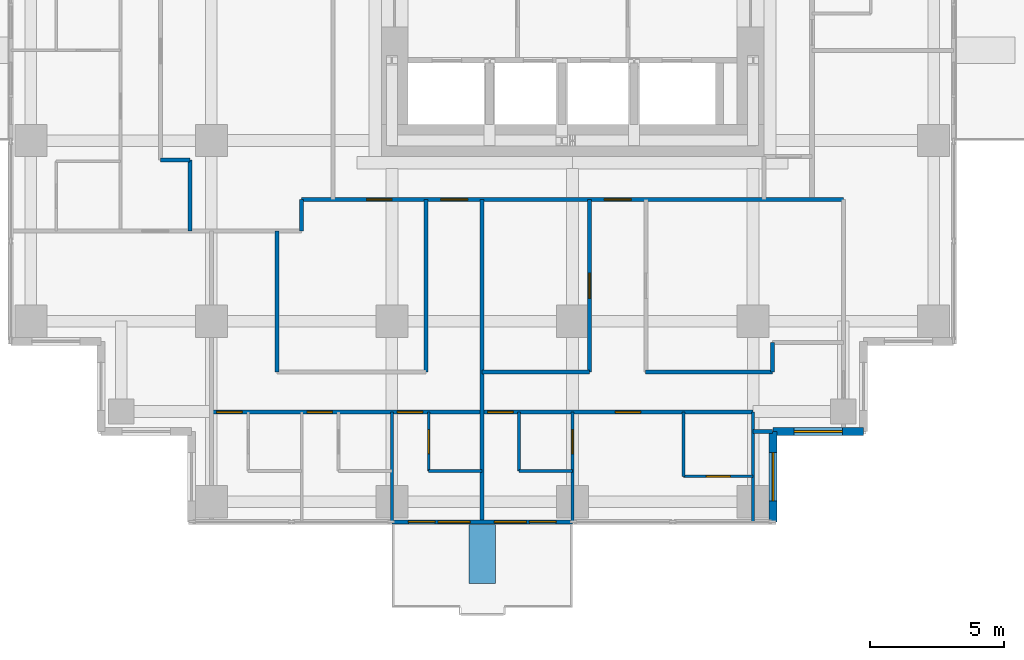
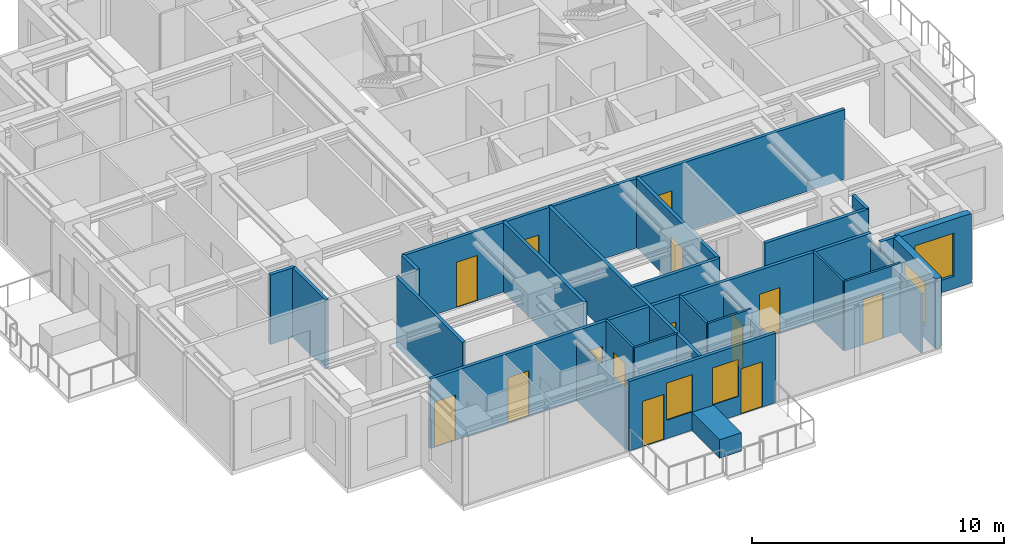
# One storey, part 5 of 10: 26 walls, 14 doors, 4 windows, 18 openings.
"""IFC4 building model written with IfcOpenShell, lengths in metres."""

from ifc_helpers import new_model, si_unit, direction, frame, frame_2d, origin, place, context, subcontext, project, spatial, rectangle, extrude, material, layer, layer_set, type_object, element, fill, save


model = new_model("IFC4")

# Units and contexts
model_context = context("Model", 3, precision=1e-05, world=origin(), true_north=direction((0.0, 1.0)))
body_context = subcontext(model_context, "Body", "Model", "MODEL_VIEW")
ifc_project = project(units=[si_unit("LENGTHUNIT", "METRE"), si_unit("AREAUNIT", "SQUARE_METRE"), si_unit("VOLUMEUNIT", "CUBIC_METRE"), si_unit("PLANEANGLEUNIT", "RADIAN"), si_unit("MASSUNIT", "GRAM", prefix="KILO")], contexts=[model_context])

# Site, building, storey
site_placement = place(None, origin())
site = spatial("IfcSite", under=ifc_project, at=site_placement, CompositionType="ELEMENT")
building_placement = place(site_placement, origin())
building = spatial("IfcBuilding", under=site, at=building_placement, Name="Nyansa Garden Tower", CompositionType="ELEMENT")
storey_placement = place(building_placement, frame((0.0, 0.0, 178.199951171875)))
storey = spatial("IfcBuildingStorey", under=building, at=storey_placement, Name="L48", CompositionType="ELEMENT", Elevation=178.199951171875)

# Wall, openings, doors, windows
ifc_material_1 = material(Name="Black aluminium framed glazed screen", Category="aluminium")
ifc_layer_1 = layer(ifc_material_1, 0.14990234375)
ifc_layer_set_1 = layer_set([ifc_layer_1], Name="Balcony screen wall BW150")
wall_type_1 = type_object("IfcWallType", Name="Balcony screen wall BW150", PredefinedType="SOLIDWALL", material=ifc_layer_set_1)
wall_1_placement = place(storey_placement, frame((20.25, -0.75, 0.0), z_axis=(0.0, 0.0, 1.0), x_axis=(-1.0, 0.0, 0.0)))
wall_1 = element("IfcWall", 1, at=wall_1_placement, inside=storey, type_object=wall_type_1, Name="Glazed screen wall L48 S", PredefinedType="SOLIDWALL", context=body_context, shape_type="SweptSolid", body=[
    extrude(rectangle(XDim=6.75, YDim=0.14990234375, at=frame_2d((3.375, 0.0))), origin(), (0.0, 0.0, 1.0), 3.375),
])
opening_1_placement = place(wall_1_placement, frame((0.612548828125, 0.0, 0.0)))
opening_1 = element("IfcOpeningElement", 2, at=opening_1_placement, cuts=wall_1, Name="Opening D20", PredefinedType="OPENING", context=body_context, shape_type="SweptSolid", body=[
    extrude(rectangle(XDim=1.0, YDim=2.199951171875, at=frame_2d((0.5, 1.10009765625))), frame((0.0, 0.0849609375, 0.0), z_axis=(0.0, -1.0, 0.0), x_axis=(1.0, 0.0, 0.0)), (0.0, 0.0, 1.0), 0.169921875),
])
opening_2_placement = place(wall_1_placement, frame((1.72509765625, 0.0, 0.89990234375)))
opening_2 = element("IfcOpeningElement", 3, at=opening_2_placement, cuts=wall_1, Name="Opening W6", PredefinedType="OPENING", context=body_context, shape_type="SweptSolid", body=[
    extrude(rectangle(XDim=1.199951171875, YDim=1.800048828125, at=frame_2d((0.60009765625, 0.89990234375))), frame((0.0, 0.0849609375, 0.0), z_axis=(0.0, -1.0, 0.0), x_axis=(1.0, 0.0, 0.0)), (0.0, 0.0, 1.0), 0.169921875),
])
opening_3_placement = place(wall_1_placement, frame((5.137451171875, 0.0, 0.0)))
opening_3 = element("IfcOpeningElement", 4, at=opening_3_placement, cuts=wall_1, Name="Opening D20", PredefinedType="OPENING", context=body_context, shape_type="SweptSolid", body=[
    extrude(rectangle(XDim=1.0, YDim=2.199951171875, at=frame_2d((0.5, 1.10009765625))), frame((0.0, 0.0849609375, 0.0), z_axis=(0.0, -1.0, 0.0), x_axis=(1.0, 0.0, 0.0)), (0.0, 0.0, 1.0), 0.169921875),
])
opening_4_placement = place(wall_1_placement, frame((3.824951171875, 0.0, 0.89990234375)))
opening_4 = element("IfcOpeningElement", 5, at=opening_4_placement, cuts=wall_1, Name="Opening W6", PredefinedType="OPENING", context=body_context, shape_type="SweptSolid", body=[
    extrude(rectangle(XDim=1.199951171875, YDim=1.800048828125, at=frame_2d((0.60009765625, 0.89990234375))), frame((0.0, 0.0849609375, 0.0), z_axis=(0.0, -1.0, 0.0), x_axis=(1.0, 0.0, 0.0)), (0.0, 0.0, 1.0), 0.169921875),
])
ifc_material_2 = material(Name="Black aluminium framed glazed door", Category="aluminium")
door_type_1 = type_object("IfcDoorType", Name="Balcony door D20 1000x2200", OperationType="NOTDEFINED", PredefinedType="DOOR", material=ifc_material_2)
door_1_placement = place(opening_1_placement, origin())
door_1 = element("IfcDoor", 6, at=door_1_placement, inside=storey, type_object=door_type_1, Name="Balcony door L48", OperationType="SINGLE_SWING_LEFT", OverallHeight=2.199951171875, OverallWidth=1.0, PredefinedType="DOOR", context=body_context, shape_type="SweptSolid", body=[
    extrude(rectangle(XDim=1.0, YDim=2.199951171875, at=frame_2d((0.5, 1.10009765625))), frame((0.0, 0.02490234375, 0.0), z_axis=(0.0, -1.0, 0.0), x_axis=(1.0, 0.0, 0.0)), (0.0, 0.0, 1.0), 0.050048828125),
])
fill(opening_1, door_1)
door_2_placement = place(opening_3_placement, origin())
door_2 = element("IfcDoor", 7, at=door_2_placement, inside=storey, type_object=door_type_1, Name="Balcony door L48", OperationType="SINGLE_SWING_RIGHT", OverallHeight=2.199951171875, OverallWidth=1.0, PredefinedType="DOOR", context=body_context, shape_type="SweptSolid", body=[
    extrude(rectangle(XDim=1.0, YDim=2.199951171875, at=frame_2d((0.5, 1.10009765625))), frame((0.0, 0.02490234375, 0.0), z_axis=(0.0, -1.0, 0.0), x_axis=(1.0, 0.0, 0.0)), (0.0, 0.0, 1.0), 0.050048828125),
])
fill(opening_3, door_2)
ifc_material_3 = material(Name="Black aluminium frame, dark tinted double glazing", Category="aluminium")
window_type_1 = type_object("IfcWindowType", Name="Balcony window W6 1200x1800", PartitioningType="SINGLE_PANEL", PredefinedType="WINDOW", material=ifc_material_3)
window_1_placement = place(opening_2_placement, origin())
window_1 = element("IfcWindow", 8, at=window_1_placement, inside=storey, type_object=window_type_1, Name="Window L48", OverallHeight=1.800048828125, OverallWidth=1.199951171875, PartitioningType="SINGLE_PANEL", PredefinedType="WINDOW", context=body_context, shape_type="SweptSolid", body=[
    extrude(rectangle(XDim=1.199951171875, YDim=1.800048828125, at=frame_2d((0.60009765625, 0.89990234375))), frame((0.0, 0.030029296875, 0.0), z_axis=(0.0, -1.0, 0.0), x_axis=(1.0, 0.0, 0.0)), (0.0, 0.0, 1.0), 0.06005859375),
])
fill(opening_2, window_1)
window_2_placement = place(opening_4_placement, origin())
window_2 = element("IfcWindow", 9, at=window_2_placement, inside=storey, type_object=window_type_1, Name="Window L48", OverallHeight=1.800048828125, OverallWidth=1.199951171875, PartitioningType="SINGLE_PANEL", PredefinedType="WINDOW", context=body_context, shape_type="SweptSolid", body=[
    extrude(rectangle(XDim=1.199951171875, YDim=1.800048828125, at=frame_2d((0.60009765625, 0.89990234375))), frame((0.0, 0.030029296875, 0.0), z_axis=(0.0, -1.0, 0.0), x_axis=(1.0, 0.0, 0.0)), (0.0, 0.0, 1.0), 0.06005859375),
])
fill(opening_4, window_2)

# Walls
ifc_material_4 = material(Name="Blockwork, plastered both sides", Category="masonry")
ifc_layer_2 = layer(ifc_material_4, 0.14990234375)
ifc_layer_set_2 = layer_set([ifc_layer_2], Name="Partition PW150")
wall_type_2 = type_object("IfcWallType", Name="Partition PW150", PredefinedType="PARTITIONING", material=ifc_layer_set_2)
wall_2_placement = place(storey_placement, frame((4.85009765625, 12.77490234375, 0.0), z_axis=(0.0, 0.0, 1.0), x_axis=(1.0, 0.0, 0.0)))
element("IfcWall", 10, at=wall_2_placement, inside=storey, type_object=wall_type_2, Name="Partition", PredefinedType="PARTITIONING", context=body_context, shape_type="SweptSolid", body=[
    extrude(rectangle(XDim=1.099853515625, YDim=0.14990234375, at=frame_2d((0.5498046875, 0.0))), origin(), (0.0, 0.0, 1.0), 3.375),
])
wall_3_placement = place(storey_placement, frame((5.949951171875, 10.125, 0.0), z_axis=(0.0, 0.0, 1.0), x_axis=(0.0, 1.0, 0.0)))
element("IfcWall", 11, at=wall_3_placement, inside=storey, type_object=wall_type_2, Name="Partition", PredefinedType="PARTITIONING", context=body_context, shape_type="SweptSolid", body=[
    extrude(rectangle(XDim=2.64990234375, YDim=0.14990234375, at=frame_2d((1.324951171875, 0.0))), origin(), (0.0, 0.0, 1.0), 3.375),
])

# Wall, openings, doors
wall_4_placement = place(storey_placement, frame((6.75, 3.35009765625, 0.0), z_axis=(0.0, 0.0, 1.0), x_axis=(1.0, 0.0, 0.0)))
wall_4 = element("IfcWall", 12, at=wall_4_placement, inside=storey, type_object=wall_type_2, Name="Partition", PredefinedType="PARTITIONING", context=body_context, shape_type="SweptSolid", body=[
    extrude(rectangle(XDim=20.25, YDim=0.14990234375, at=frame_2d((10.125, 0.0))), origin(), (0.0, 0.0, 1.0), 3.375),
])
opening_5_placement = place(wall_4_placement, frame((0.199951171875, 0.0, 0.0)))
opening_5 = element("IfcOpeningElement", 13, at=opening_5_placement, cuts=wall_4, Name="Opening D01", PredefinedType="OPENING", context=body_context, shape_type="SweptSolid", body=[
    extrude(rectangle(XDim=0.949951171875, YDim=2.199951171875, at=frame_2d((0.47509765625, 1.10009765625))), frame((0.0, 0.0849609375, 0.0), z_axis=(0.0, -1.0, 0.0), x_axis=(1.0, 0.0, 0.0)), (0.0, 0.0, 1.0), 0.169921875),
])
opening_6_placement = place(wall_4_placement, frame((3.574951171875, 0.0, 0.0)))
opening_6 = element("IfcOpeningElement", 14, at=opening_6_placement, cuts=wall_4, Name="Opening D01", PredefinedType="OPENING", context=body_context, shape_type="SweptSolid", body=[
    extrude(rectangle(XDim=0.949951171875, YDim=2.199951171875, at=frame_2d((0.47509765625, 1.10009765625))), frame((0.0, 0.0849609375, 0.0), z_axis=(0.0, -1.0, 0.0), x_axis=(1.0, 0.0, 0.0)), (0.0, 0.0, 1.0), 0.169921875),
])
opening_7_placement = place(wall_4_placement, frame((6.949951171875, 0.0, 0.0)))
opening_7 = element("IfcOpeningElement", 15, at=opening_7_placement, cuts=wall_4, Name="Opening D01", PredefinedType="OPENING", context=body_context, shape_type="SweptSolid", body=[
    extrude(rectangle(XDim=0.949951171875, YDim=2.199951171875, at=frame_2d((0.47509765625, 1.10009765625))), frame((0.0, 0.0849609375, 0.0), z_axis=(0.0, -1.0, 0.0), x_axis=(1.0, 0.0, 0.0)), (0.0, 0.0, 1.0), 0.169921875),
])
opening_8_placement = place(wall_4_placement, frame((15.10009765625, 0.0, 0.0)))
opening_8 = element("IfcOpeningElement", 16, at=opening_8_placement, cuts=wall_4, Name="Opening D14", PredefinedType="OPENING", context=body_context, shape_type="SweptSolid", body=[
    extrude(rectangle(XDim=0.949951171875, YDim=2.199951171875, at=frame_2d((0.47509765625, 1.10009765625))), frame((0.0, 0.0849609375, 0.0), z_axis=(0.0, -1.0, 0.0), x_axis=(1.0, 0.0, 0.0)), (0.0, 0.0, 1.0), 0.169921875),
])
opening_9_placement = place(wall_4_placement, frame((10.324951171875, 0.0, 0.0)))
opening_9 = element("IfcOpeningElement", 17, at=opening_9_placement, cuts=wall_4, Name="Opening D14", PredefinedType="OPENING", context=body_context, shape_type="SweptSolid", body=[
    extrude(rectangle(XDim=0.949951171875, YDim=2.199951171875, at=frame_2d((0.47509765625, 1.10009765625))), frame((0.0, 0.0849609375, 0.0), z_axis=(0.0, -1.0, 0.0), x_axis=(1.0, 0.0, 0.0)), (0.0, 0.0, 1.0), 0.169921875),
])
ifc_material_5 = material(Name="Timber flush door, 30 minute fire resisting", Category="wood")
door_type_2 = type_object("IfcDoorType", Name="Bedroom door D01 950x2200", OperationType="SINGLE_SWING_LEFT", PredefinedType="DOOR", material=ifc_material_5)
door_3_placement = place(opening_5_placement, origin())
door_3 = element("IfcDoor", 18, at=door_3_placement, inside=storey, type_object=door_type_2, Name="Door L48-018", OperationType="SINGLE_SWING_LEFT", OverallHeight=2.199951171875, OverallWidth=0.949951171875, PredefinedType="DOOR", context=body_context, shape_type="SweptSolid", body=[
    extrude(rectangle(XDim=0.949951171875, YDim=2.199951171875, at=frame_2d((0.47509765625, 1.10009765625))), frame((0.0, 0.02490234375, 0.0), z_axis=(0.0, -1.0, 0.0), x_axis=(1.0, 0.0, 0.0)), (0.0, 0.0, 1.0), 0.050048828125),
])
fill(opening_5, door_3)
door_4_placement = place(opening_6_placement, origin())
door_4 = element("IfcDoor", 19, at=door_4_placement, inside=storey, type_object=door_type_2, Name="Door L48-020", OperationType="SINGLE_SWING_LEFT", OverallHeight=2.199951171875, OverallWidth=0.949951171875, PredefinedType="DOOR", context=body_context, shape_type="SweptSolid", body=[
    extrude(rectangle(XDim=0.949951171875, YDim=2.199951171875, at=frame_2d((0.47509765625, 1.10009765625))), frame((0.0, 0.02490234375, 0.0), z_axis=(0.0, -1.0, 0.0), x_axis=(1.0, 0.0, 0.0)), (0.0, 0.0, 1.0), 0.050048828125),
])
fill(opening_6, door_4)
door_5_placement = place(opening_7_placement, origin())
door_5 = element("IfcDoor", 20, at=door_5_placement, inside=storey, type_object=door_type_2, Name="Door L48-022", OperationType="SINGLE_SWING_LEFT", OverallHeight=2.199951171875, OverallWidth=0.949951171875, PredefinedType="DOOR", context=body_context, shape_type="SweptSolid", body=[
    extrude(rectangle(XDim=0.949951171875, YDim=2.199951171875, at=frame_2d((0.47509765625, 1.10009765625))), frame((0.0, 0.02490234375, 0.0), z_axis=(0.0, -1.0, 0.0), x_axis=(1.0, 0.0, 0.0)), (0.0, 0.0, 1.0), 0.050048828125),
])
fill(opening_7, door_5)
ifc_material_6 = material(Name="Timber flush door, 60 minute fire resisting, self-closing", Category="wood")
door_type_3 = type_object("IfcDoorType", Name="Studio entrance door D14 950x2200", OperationType="SINGLE_SWING_LEFT", PredefinedType="DOOR", material=ifc_material_6)
door_6_placement = place(opening_8_placement, origin())
door_6 = element("IfcDoor", 21, at=door_6_placement, inside=storey, type_object=door_type_3, Name="Door L48-025", OperationType="SINGLE_SWING_LEFT", OverallHeight=2.199951171875, OverallWidth=0.949951171875, PredefinedType="DOOR", context=body_context, shape_type="SweptSolid", body=[
    extrude(rectangle(XDim=0.949951171875, YDim=2.199951171875, at=frame_2d((0.47509765625, 1.10009765625))), frame((0.0, 0.02490234375, 0.0), z_axis=(0.0, -1.0, 0.0), x_axis=(1.0, 0.0, 0.0)), (0.0, 0.0, 1.0), 0.050048828125),
])
fill(opening_8, door_6)
door_7_placement = place(opening_9_placement, origin())
door_7 = element("IfcDoor", 22, at=door_7_placement, inside=storey, type_object=door_type_3, Name="Door L48-027", OperationType="SINGLE_SWING_LEFT", OverallHeight=2.199951171875, OverallWidth=0.949951171875, PredefinedType="DOOR", context=body_context, shape_type="SweptSolid", body=[
    extrude(rectangle(XDim=0.949951171875, YDim=2.199951171875, at=frame_2d((0.47509765625, 1.10009765625))), frame((0.0, 0.02490234375, 0.0), z_axis=(0.0, -1.0, 0.0), x_axis=(1.0, 0.0, 0.0)), (0.0, 0.0, 1.0), 0.050048828125),
])
fill(opening_9, door_7)

# Walls
wall_5_placement = place(storey_placement, frame((9.199951171875, 4.85009765625, 0.0), z_axis=(0.0, 0.0, 1.0), x_axis=(0.0, 1.0, 0.0)))
element("IfcWall", 23, at=wall_5_placement, inside=storey, type_object=wall_type_2, Name="Partition", PredefinedType="PARTITIONING", context=body_context, shape_type="SweptSolid", body=[
    extrude(rectangle(XDim=5.27490234375, YDim=0.14990234375, at=frame_2d((2.637451171875, 0.0))), origin(), (0.0, 0.0, 1.0), 3.375),
])
wall_6_placement = place(storey_placement, frame((10.125, 10.125, 0.0), z_axis=(0.0, 0.0, 1.0), x_axis=(0.0, 1.0, 0.0)))
element("IfcWall", 24, at=wall_6_placement, inside=storey, type_object=wall_type_2, Name="Partition", PredefinedType="PARTITIONING", context=body_context, shape_type="SweptSolid", body=[
    extrude(rectangle(XDim=1.175048828125, YDim=0.14990234375, at=frame_2d((0.58740234375, 0.0))), origin(), (0.0, 0.0, 1.0), 3.375),
])

# Wall, openings, doors
wall_7_placement = place(storey_placement, frame((10.125, 11.300048828125, 0.0), z_axis=(0.0, 0.0, 1.0), x_axis=(1.0, 0.0, 0.0)))
wall_7 = element("IfcWall", 25, at=wall_7_placement, inside=storey, type_object=wall_type_2, Name="Partition", PredefinedType="PARTITIONING", context=body_context, shape_type="SweptSolid", body=[
    extrude(rectangle(XDim=20.25, YDim=0.14990234375, at=frame_2d((10.125, 0.0))), origin(), (0.0, 0.0, 1.0), 3.375),
])
opening_10_placement = place(wall_7_placement, frame((5.199951171875, 0.0, 0.0)))
opening_10 = element("IfcOpeningElement", 26, at=opening_10_placement, cuts=wall_7, Name="Opening D03", PredefinedType="OPENING", context=body_context, shape_type="SweptSolid", body=[
    extrude(rectangle(XDim=1.0, YDim=2.199951171875, at=frame_2d((0.5, 1.10009765625))), frame((0.0, 0.0849609375, 0.0), z_axis=(0.0, -1.0, 0.0), x_axis=(1.0, 0.0, 0.0)), (0.0, 0.0, 1.0), 0.169921875),
])
opening_11_placement = place(wall_7_placement, frame((11.3125, 0.0, 0.0)))
opening_11 = element("IfcOpeningElement", 27, at=opening_11_placement, cuts=wall_7, Name="Opening D03", PredefinedType="OPENING", context=body_context, shape_type="SweptSolid", body=[
    extrude(rectangle(XDim=1.0, YDim=2.199951171875, at=frame_2d((0.5, 1.10009765625))), frame((0.0, 0.0849609375, 0.0), z_axis=(0.0, -1.0, 0.0), x_axis=(1.0, 0.0, 0.0)), (0.0, 0.0, 1.0), 0.169921875),
])
opening_12_placement = place(wall_7_placement, frame((2.425048828125, 0.0, 0.0)))
opening_12 = element("IfcOpeningElement", 28, at=opening_12_placement, cuts=wall_7, Name="Opening D01", PredefinedType="OPENING", context=body_context, shape_type="SweptSolid", body=[
    extrude(rectangle(XDim=0.949951171875, YDim=2.199951171875, at=frame_2d((0.47509765625, 1.10009765625))), frame((0.0, 0.0849609375, 0.0), z_axis=(0.0, -1.0, 0.0), x_axis=(1.0, 0.0, 0.0)), (0.0, 0.0, 1.0), 0.169921875),
])
door_8_placement = place(opening_12_placement, origin())
door_8 = element("IfcDoor", 29, at=door_8_placement, inside=storey, type_object=door_type_2, Name="Door L48-030", OperationType="SINGLE_SWING_LEFT", OverallHeight=2.199951171875, OverallWidth=0.949951171875, PredefinedType="DOOR", context=body_context, shape_type="SweptSolid", body=[
    extrude(rectangle(XDim=0.949951171875, YDim=2.199951171875, at=frame_2d((0.47509765625, 1.10009765625))), frame((0.0, 0.02490234375, 0.0), z_axis=(0.0, -1.0, 0.0), x_axis=(1.0, 0.0, 0.0)), (0.0, 0.0, 1.0), 0.050048828125),
])
fill(opening_12, door_8)
ifc_material_7 = material(Name="Timber flush door, 60 minute fire resisting", Category="wood")
door_type_4 = type_object("IfcDoorType", Name="Cluster entrance door D03 1000x2200", OperationType="SINGLE_SWING_LEFT", PredefinedType="DOOR", material=ifc_material_7)
door_9_placement = place(opening_10_placement, origin())
door_9 = element("IfcDoor", 30, at=door_9_placement, inside=storey, type_object=door_type_4, Name="Door L48-024", OperationType="SINGLE_SWING_LEFT", OverallHeight=2.199951171875, OverallWidth=1.0, PredefinedType="DOOR", context=body_context, shape_type="SweptSolid", body=[
    extrude(rectangle(XDim=1.0, YDim=2.199951171875, at=frame_2d((0.5, 1.10009765625))), frame((0.0, 0.02490234375, 0.0), z_axis=(0.0, -1.0, 0.0), x_axis=(1.0, 0.0, 0.0)), (0.0, 0.0, 1.0), 0.050048828125),
])
fill(opening_10, door_9)
door_10_placement = place(opening_11_placement, origin())
door_10 = element("IfcDoor", 31, at=door_10_placement, inside=storey, type_object=door_type_4, Name="Door L48-029", OperationType="SINGLE_SWING_LEFT", OverallHeight=2.199951171875, OverallWidth=1.0, PredefinedType="DOOR", context=body_context, shape_type="SweptSolid", body=[
    extrude(rectangle(XDim=1.0, YDim=2.199951171875, at=frame_2d((0.5, 1.10009765625))), frame((0.0, 0.02490234375, 0.0), z_axis=(0.0, -1.0, 0.0), x_axis=(1.0, 0.0, 0.0)), (0.0, 0.0, 1.0), 0.050048828125),
])
fill(opening_11, door_10)

# Walls
wall_8_placement = place(storey_placement, frame((14.77490234375, 4.85009765625, 0.0), z_axis=(0.0, 0.0, 1.0), x_axis=(0.0, 1.0, 0.0)))
element("IfcWall", 32, at=wall_8_placement, inside=storey, type_object=wall_type_2, Name="Partition", PredefinedType="PARTITIONING", context=body_context, shape_type="SweptSolid", body=[
    extrude(rectangle(XDim=6.449951171875, YDim=0.14990234375, at=frame_2d((3.22509765625, 0.0))), origin(), (0.0, 0.0, 1.0), 3.375),
])
wall_9_placement = place(storey_placement, frame((16.875, -0.73388671875, 0.0), z_axis=(0.0, 0.0, 1.0), x_axis=(0.0, 1.0, 0.0)))
element("IfcWall", 33, at=wall_9_placement, inside=storey, type_object=wall_type_2, Name="Partition", PredefinedType="PARTITIONING", context=body_context, shape_type="SweptSolid", body=[
    extrude(rectangle(XDim=12.033935546875, YDim=0.14990234375, at=frame_2d((6.01708984375, 0.0))), origin(), (0.0, 0.0, 1.0), 3.375),
])
wall_10_placement = place(storey_placement, frame((16.875, 4.85009765625, 0.0), z_axis=(0.0, 0.0, 1.0), x_axis=(1.0, 0.0, 0.0)))
element("IfcWall", 34, at=wall_10_placement, inside=storey, type_object=wall_type_2, Name="Partition", PredefinedType="PARTITIONING", context=body_context, shape_type="SweptSolid", body=[
    extrude(rectangle(XDim=4.012451171875, YDim=0.14990234375, at=frame_2d((2.00634765625, 0.0))), origin(), (0.0, 0.0, 1.0), 3.375),
])

# Wall, opening, door
wall_11_placement = place(storey_placement, frame((20.886962890625, 4.85009765625, 0.0), z_axis=(0.0, 0.0, 1.0), x_axis=(0.0, 1.0, 0.0)))
wall_11 = element("IfcWall", 35, at=wall_11_placement, inside=storey, type_object=wall_type_2, Name="Partition", PredefinedType="PARTITIONING", context=body_context, shape_type="SweptSolid", body=[
    extrude(rectangle(XDim=6.449951171875, YDim=0.14990234375, at=frame_2d((3.22509765625, 0.0))), origin(), (0.0, 0.0, 1.0), 3.375),
])
opening_13_placement = place(wall_11_placement, frame((2.75, 0.0, 0.0)))
opening_13 = element("IfcOpeningElement", 36, at=opening_13_placement, cuts=wall_11, Name="Opening D01", PredefinedType="OPENING", context=body_context, shape_type="SweptSolid", body=[
    extrude(rectangle(XDim=0.949951171875, YDim=2.199951171875, at=frame_2d((0.47509765625, 1.10009765625))), frame((0.0, 0.0849609375, 0.0), z_axis=(0.0, -1.0, 0.0), x_axis=(1.0, 0.0, 0.0)), (0.0, 0.0, 1.0), 0.169921875),
])
door_11_placement = place(opening_13_placement, origin())
door_11 = element("IfcDoor", 37, at=door_11_placement, inside=storey, type_object=door_type_2, Name="Door L48-031", OperationType="SINGLE_SWING_LEFT", OverallHeight=2.199951171875, OverallWidth=0.949951171875, PredefinedType="DOOR", context=body_context, shape_type="SweptSolid", body=[
    extrude(rectangle(XDim=0.949951171875, YDim=2.199951171875, at=frame_2d((0.47509765625, 1.10009765625))), frame((0.0, 0.02490234375, 0.0), z_axis=(0.0, -1.0, 0.0), x_axis=(1.0, 0.0, 0.0)), (0.0, 0.0, 1.0), 0.050048828125),
])
fill(opening_13, door_11)

# Walls
wall_12_placement = place(storey_placement, frame((22.987548828125, 4.85009765625, 0.0), z_axis=(0.0, 0.0, 1.0), x_axis=(1.0, 0.0, 0.0)))
element("IfcWall", 38, at=wall_12_placement, inside=storey, type_object=wall_type_2, Name="Partition", PredefinedType="PARTITIONING", context=body_context, shape_type="SweptSolid", body=[
    extrude(rectangle(XDim=4.737548828125, YDim=0.14990234375, at=frame_2d((2.36865234375, 0.0))), origin(), (0.0, 0.0, 1.0), 3.375),
])
wall_13_placement = place(storey_placement, frame((27.0, 2.625, 0.0), z_axis=(0.0, 0.0, 1.0), x_axis=(1.0, 0.0, 0.0)))
element("IfcWall", 39, at=wall_13_placement, inside=storey, type_object=wall_type_2, Name="Partition", PredefinedType="PARTITIONING", context=body_context, shape_type="SweptSolid", body=[
    extrude(rectangle(XDim=0.73388671875, YDim=0.14990234375, at=frame_2d((0.366943359375, 0.0))), origin(), (0.0, 0.0, 1.0), 3.375),
])
wall_14_placement = place(storey_placement, frame((27.72509765625, 4.85009765625, 0.0), z_axis=(0.0, 0.0, 1.0), x_axis=(0.0, 1.0, 0.0)))
element("IfcWall", 40, at=wall_14_placement, inside=storey, type_object=wall_type_2, Name="Partition", PredefinedType="PARTITIONING", context=body_context, shape_type="SweptSolid", body=[
    extrude(rectangle(XDim=1.099853515625, YDim=0.14990234375, at=frame_2d((0.5498046875, 0.0))), origin(), (0.0, 0.0, 1.0), 3.375),
])

# Wall, opening, window
ifc_material_8 = material(Name="Turquoise glazed tile on concrete blockwork", Category="masonry")
ifc_layer_3 = layer(ifc_material_8, 0.300048828125)
ifc_layer_set_3 = layer_set([ifc_layer_3], Name="Tiled corner wall TW300")
wall_type_3 = type_object("IfcWallType", Name="Tiled corner wall TW300", PredefinedType="SOLIDWALL", material=ifc_layer_set_3)
wall_15_placement = place(storey_placement, frame((27.75, -0.75, 0.0), z_axis=(0.0, 0.0, 1.0), x_axis=(0.0, 1.0, 0.0)))
wall_15 = element("IfcWall", 41, at=wall_15_placement, inside=storey, type_object=wall_type_3, Name="Tiled corner wall L48", PredefinedType="SOLIDWALL", context=body_context, shape_type="SweptSolid", body=[
    extrude(rectangle(XDim=3.375, YDim=0.300048828125, at=frame_2d((1.6875, 0.0))), origin(), (0.0, 0.0, 1.0), 3.375),
])
opening_14_placement = place(wall_15_placement, frame((0.78759765625, 0.0, 0.60009765625)))
opening_14 = element("IfcOpeningElement", 42, at=opening_14_placement, cuts=wall_15, Name="Opening W2", PredefinedType="OPENING", context=body_context, shape_type="SweptSolid", body=[
    extrude(rectangle(XDim=1.800048828125, YDim=2.10009765625, at=frame_2d((0.89990234375, 1.050048828125))), frame((0.0, 0.159912109375, 0.0), z_axis=(0.0, -1.0, 0.0), x_axis=(1.0, 0.0, 0.0)), (0.0, 0.0, 1.0), 0.320068359375),
])
ifc_material_9 = material(Name="Black aluminium frame, dark tinted double glazing", Category="aluminium")
window_type_2 = type_object("IfcWindowType", Name="Window W2 1800x2100", PartitioningType="SINGLE_PANEL", PredefinedType="WINDOW", material=ifc_material_9)
window_3_placement = place(opening_14_placement, origin())
window_3 = element("IfcWindow", 43, at=window_3_placement, inside=storey, type_object=window_type_2, Name="Corner window L48", OverallHeight=2.10009765625, OverallWidth=1.800048828125, PartitioningType="SINGLE_PANEL", PredefinedType="WINDOW", context=body_context, shape_type="SweptSolid", body=[
    extrude(rectangle(XDim=1.800048828125, YDim=2.10009765625, at=frame_2d((0.89990234375, 1.050048828125))), frame((0.0, 0.030029296875, 0.0), z_axis=(0.0, -1.0, 0.0), x_axis=(1.0, 0.0, 0.0)), (0.0, 0.0, 1.0), 0.06005859375),
])
fill(opening_14, window_3)

wall_16_placement = place(storey_placement, frame((27.75, 2.625, 0.0), z_axis=(0.0, 0.0, 1.0), x_axis=(1.0, 0.0, 0.0)))
wall_16 = element("IfcWall", 44, at=wall_16_placement, inside=storey, type_object=wall_type_3, Name="Tiled corner wall L48", PredefinedType="SOLIDWALL", context=body_context, shape_type="SweptSolid", body=[
    extrude(rectangle(XDim=3.375, YDim=0.300048828125, at=frame_2d((1.6875, 0.0))), origin(), (0.0, 0.0, 1.0), 3.375),
])
opening_15_placement = place(wall_16_placement, frame((0.78759765625, 0.0, 0.60009765625)))
opening_15 = element("IfcOpeningElement", 45, at=opening_15_placement, cuts=wall_16, Name="Opening W2", PredefinedType="OPENING", context=body_context, shape_type="SweptSolid", body=[
    extrude(rectangle(XDim=1.800048828125, YDim=2.10009765625, at=frame_2d((0.89990234375, 1.050048828125))), frame((0.0, 0.159912109375, 0.0), z_axis=(0.0, -1.0, 0.0), x_axis=(1.0, 0.0, 0.0)), (0.0, 0.0, 1.0), 0.320068359375),
])
window_4_placement = place(opening_15_placement, origin())
window_4 = element("IfcWindow", 46, at=window_4_placement, inside=storey, type_object=window_type_2, Name="Corner window L48", OverallHeight=2.10009765625, OverallWidth=1.800048828125, PartitioningType="SINGLE_PANEL", PredefinedType="WINDOW", context=body_context, shape_type="SweptSolid", body=[
    extrude(rectangle(XDim=1.800048828125, YDim=2.10009765625, at=frame_2d((0.89990234375, 1.050048828125))), frame((0.0, 0.030029296875, 0.0), z_axis=(0.0, -1.0, 0.0), x_axis=(1.0, 0.0, 0.0)), (0.0, 0.0, 1.0), 0.06005859375),
])
fill(opening_15, window_4)

# Walls
ifc_material_10 = material(Name="Concrete C40/50 planter, waterproofed", Category="concrete")
ifc_layer_4 = layer(ifc_material_10, 1.0)
ifc_layer_set_4 = layer_set([ifc_layer_4], Name="Tree planter TP1")
wall_type_4 = type_object("IfcWallType", Name="Tree planter TP1", PredefinedType="USERDEFINED", material=ifc_layer_set_4)
wall_17_placement = place(storey_placement, frame((16.875, -0.85009765625, 0.0), z_axis=(0.0, 0.0, 1.0), x_axis=(0.0, -1.0, 0.0)))
element("IfcWall", 47, at=wall_17_placement, inside=storey, type_object=wall_type_4, Name="Tree planter L48", ObjectType="TREE PLANTER", PredefinedType="USERDEFINED", context=body_context, shape_type="SweptSolid", body=[
    extrude(rectangle(XDim=2.199951171875, YDim=1.0, at=frame_2d((1.10009765625, 0.0))), origin(), (0.0, 0.0, 1.0), 0.900146484375),
])
ifc_material_11 = material(Name="Moisture resistant board on steel studs, tiled", Category="steel")
ifc_layer_5 = layer(ifc_material_11, 0.10009765625)
ifc_layer_set_5 = layer_set([ifc_layer_5], Name="Wet wall PW100")
wall_type_5 = type_object("IfcWallType", Name="Wet wall PW100", PredefinedType="PARTITIONING", material=ifc_layer_set_5)
wall_18_placement = place(storey_placement, frame((13.5, -0.73388671875, 0.0), z_axis=(0.0, 0.0, 1.0), x_axis=(0.0, 1.0, 0.0)))
element("IfcWall", 48, at=wall_18_placement, inside=storey, type_object=wall_type_5, Name="Wet wall", PredefinedType="PARTITIONING", context=body_context, shape_type="SweptSolid", body=[
    extrude(rectangle(XDim=4.083984375, YDim=0.10009765625, at=frame_2d((2.0419921875, 0.0))), origin(), (0.0, 0.0, 1.0), 2.876953125),
])

# Wall, opening, door
wall_19_placement = place(storey_placement, frame((14.875, 1.14990234375, 0.0), z_axis=(0.0, 0.0, 1.0), x_axis=(0.0, 1.0, 0.0)))
wall_19 = element("IfcWall", 49, at=wall_19_placement, inside=storey, type_object=wall_type_5, Name="Wet wall", PredefinedType="PARTITIONING", context=body_context, shape_type="SweptSolid", body=[
    extrude(rectangle(XDim=2.2001953125, YDim=0.10009765625, at=frame_2d((1.10009765625, 0.0))), origin(), (0.0, 0.0, 1.0), 3.375),
])
opening_16_placement = place(wall_19_placement, frame((0.64990234375, 0.0, 0.0)))
opening_16 = element("IfcOpeningElement", 50, at=opening_16_placement, cuts=wall_19, Name="Opening D02", PredefinedType="OPENING", context=body_context, shape_type="SweptSolid", body=[
    extrude(rectangle(XDim=0.89990234375, YDim=2.199951171875, at=frame_2d((0.449951171875, 1.10009765625))), frame((0.0, 0.06005859375, 0.0), z_axis=(0.0, -1.0, 0.0), x_axis=(1.0, 0.0, 0.0)), (0.0, 0.0, 1.0), 0.1201171875),
])
ifc_material_12 = material(Name="Timber flush door", Category="wood")
door_type_5 = type_object("IfcDoorType", Name="En-suite door D02 900x2200", OperationType="SINGLE_SWING_RIGHT", PredefinedType="DOOR", material=ifc_material_12)
door_12_placement = place(opening_16_placement, origin())
door_12 = element("IfcDoor", 51, at=door_12_placement, inside=storey, type_object=door_type_5, Name="Door L48-023", OperationType="SINGLE_SWING_RIGHT", OverallHeight=2.199951171875, OverallWidth=0.89990234375, PredefinedType="DOOR", context=body_context, shape_type="SweptSolid", body=[
    extrude(rectangle(XDim=0.89990234375, YDim=2.199951171875, at=frame_2d((0.449951171875, 1.10009765625))), frame((0.0, 0.02490234375, 0.0), z_axis=(0.0, -1.0, 0.0), x_axis=(1.0, 0.0, 0.0)), (0.0, 0.0, 1.0), 0.050048828125),
])
fill(opening_16, door_12)

# Walls
wall_20_placement = place(storey_placement, frame((14.875, 1.14990234375, 0.0), z_axis=(0.0, 0.0, 1.0), x_axis=(1.0, 0.0, 0.0)))
element("IfcWall", 52, at=wall_20_placement, inside=storey, type_object=wall_type_5, Name="Wet wall", PredefinedType="PARTITIONING", context=body_context, shape_type="SweptSolid", body=[
    extrude(rectangle(XDim=2.0, YDim=0.10009765625, at=frame_2d((1.0, 0.0))), origin(), (0.0, 0.0, 1.0), 3.375),
])
wall_21_placement = place(storey_placement, frame((18.25, 1.14990234375, 0.0), z_axis=(0.0, 0.0, 1.0), x_axis=(0.0, 1.0, 0.0)))
element("IfcWall", 53, at=wall_21_placement, inside=storey, type_object=wall_type_5, Name="Wet wall", PredefinedType="PARTITIONING", context=body_context, shape_type="SweptSolid", body=[
    extrude(rectangle(XDim=2.2001953125, YDim=0.10009765625, at=frame_2d((1.10009765625, 0.0))), origin(), (0.0, 0.0, 1.0), 3.375),
])
wall_22_placement = place(storey_placement, frame((18.25, 1.14990234375, 0.0), z_axis=(0.0, 0.0, 1.0), x_axis=(1.0, 0.0, 0.0)))
element("IfcWall", 54, at=wall_22_placement, inside=storey, type_object=wall_type_5, Name="Wet wall", PredefinedType="PARTITIONING", context=body_context, shape_type="SweptSolid", body=[
    extrude(rectangle(XDim=2.0, YDim=0.10009765625, at=frame_2d((1.0, 0.0))), origin(), (0.0, 0.0, 1.0), 3.375),
])

# Wall, opening, door
wall_23_placement = place(storey_placement, frame((20.25, -0.73388671875, 0.0), z_axis=(0.0, 0.0, 1.0), x_axis=(0.0, 1.0, 0.0)))
wall_23 = element("IfcWall", 55, at=wall_23_placement, inside=storey, type_object=wall_type_5, Name="Wet wall", PredefinedType="PARTITIONING", context=body_context, shape_type="SweptSolid", body=[
    extrude(rectangle(XDim=4.083984375, YDim=0.10009765625, at=frame_2d((2.0419921875, 0.0))), origin(), (0.0, 0.0, 1.0), 2.876953125),
])
opening_17_placement = place(wall_23_placement, frame((2.533935546875, 0.0, 0.0)))
opening_17 = element("IfcOpeningElement", 56, at=opening_17_placement, cuts=wall_23, Name="Opening D02", PredefinedType="OPENING", context=body_context, shape_type="SweptSolid", body=[
    extrude(rectangle(XDim=0.89990234375, YDim=2.199951171875, at=frame_2d((0.449951171875, 1.10009765625))), frame((0.0, 0.06005859375, 0.0), z_axis=(0.0, -1.0, 0.0), x_axis=(1.0, 0.0, 0.0)), (0.0, 0.0, 1.0), 0.1201171875),
])
door_13_placement = place(opening_17_placement, origin())
door_13 = element("IfcDoor", 57, at=door_13_placement, inside=storey, type_object=door_type_5, Name="Door L48-028", OperationType="SINGLE_SWING_RIGHT", OverallHeight=2.199951171875, OverallWidth=0.89990234375, PredefinedType="DOOR", context=body_context, shape_type="SweptSolid", body=[
    extrude(rectangle(XDim=0.89990234375, YDim=2.199951171875, at=frame_2d((0.449951171875, 1.10009765625))), frame((0.0, 0.02490234375, 0.0), z_axis=(0.0, -1.0, 0.0), x_axis=(1.0, 0.0, 0.0)), (0.0, 0.0, 1.0), 0.050048828125),
])
fill(opening_17, door_13)

# Wall
wall_24_placement = place(storey_placement, frame((24.39990234375, 0.949951171875, 0.0), z_axis=(0.0, 0.0, 1.0), x_axis=(0.0, 1.0, 0.0)))
element("IfcWall", 58, at=wall_24_placement, inside=storey, type_object=wall_type_5, Name="Wet wall", PredefinedType="PARTITIONING", context=body_context, shape_type="SweptSolid", body=[
    extrude(rectangle(XDim=2.400146484375, YDim=0.10009765625, at=frame_2d((1.2001953125, 0.0))), origin(), (0.0, 0.0, 1.0), 3.375),
])

# Wall, opening, door
wall_25_placement = place(storey_placement, frame((24.39990234375, 0.949951171875, 0.0), z_axis=(0.0, 0.0, 1.0), x_axis=(1.0, 0.0, 0.0)))
wall_25 = element("IfcWall", 59, at=wall_25_placement, inside=storey, type_object=wall_type_5, Name="Wet wall", PredefinedType="PARTITIONING", context=body_context, shape_type="SweptSolid", body=[
    extrude(rectangle(XDim=2.60009765625, YDim=0.10009765625, at=frame_2d((1.300048828125, 0.0))), origin(), (0.0, 0.0, 1.0), 3.375),
])
opening_18_placement = place(wall_25_placement, frame((0.85009765625, 0.0, 0.0)))
opening_18 = element("IfcOpeningElement", 60, at=opening_18_placement, cuts=wall_25, Name="Opening D02", PredefinedType="OPENING", context=body_context, shape_type="SweptSolid", body=[
    extrude(rectangle(XDim=0.89990234375, YDim=2.199951171875, at=frame_2d((0.449951171875, 1.10009765625))), frame((0.0, 0.06005859375, 0.0), z_axis=(0.0, -1.0, 0.0), x_axis=(1.0, 0.0, 0.0)), (0.0, 0.0, 1.0), 0.1201171875),
])
door_14_placement = place(opening_18_placement, origin())
door_14 = element("IfcDoor", 61, at=door_14_placement, inside=storey, type_object=door_type_5, Name="Door L48-026", OperationType="SINGLE_SWING_RIGHT", OverallHeight=2.199951171875, OverallWidth=0.89990234375, PredefinedType="DOOR", context=body_context, shape_type="SweptSolid", body=[
    extrude(rectangle(XDim=0.89990234375, YDim=2.199951171875, at=frame_2d((0.449951171875, 1.10009765625))), frame((0.0, 0.02490234375, 0.0), z_axis=(0.0, -1.0, 0.0), x_axis=(1.0, 0.0, 0.0)), (0.0, 0.0, 1.0), 0.050048828125),
])
fill(opening_18, door_14)

# Wall
wall_26_placement = place(storey_placement, frame((27.0, -0.73388671875, 0.0), z_axis=(0.0, 0.0, 1.0), x_axis=(0.0, 1.0, 0.0)))
element("IfcWall", 62, at=wall_26_placement, inside=storey, type_object=wall_type_5, Name="Wet wall", PredefinedType="PARTITIONING", context=body_context, shape_type="SweptSolid", body=[
    extrude(rectangle(XDim=4.083984375, YDim=0.10009765625, at=frame_2d((2.0419921875, 0.0))), origin(), (0.0, 0.0, 1.0), 2.876953125),
])

save(model, "model.ifc")
